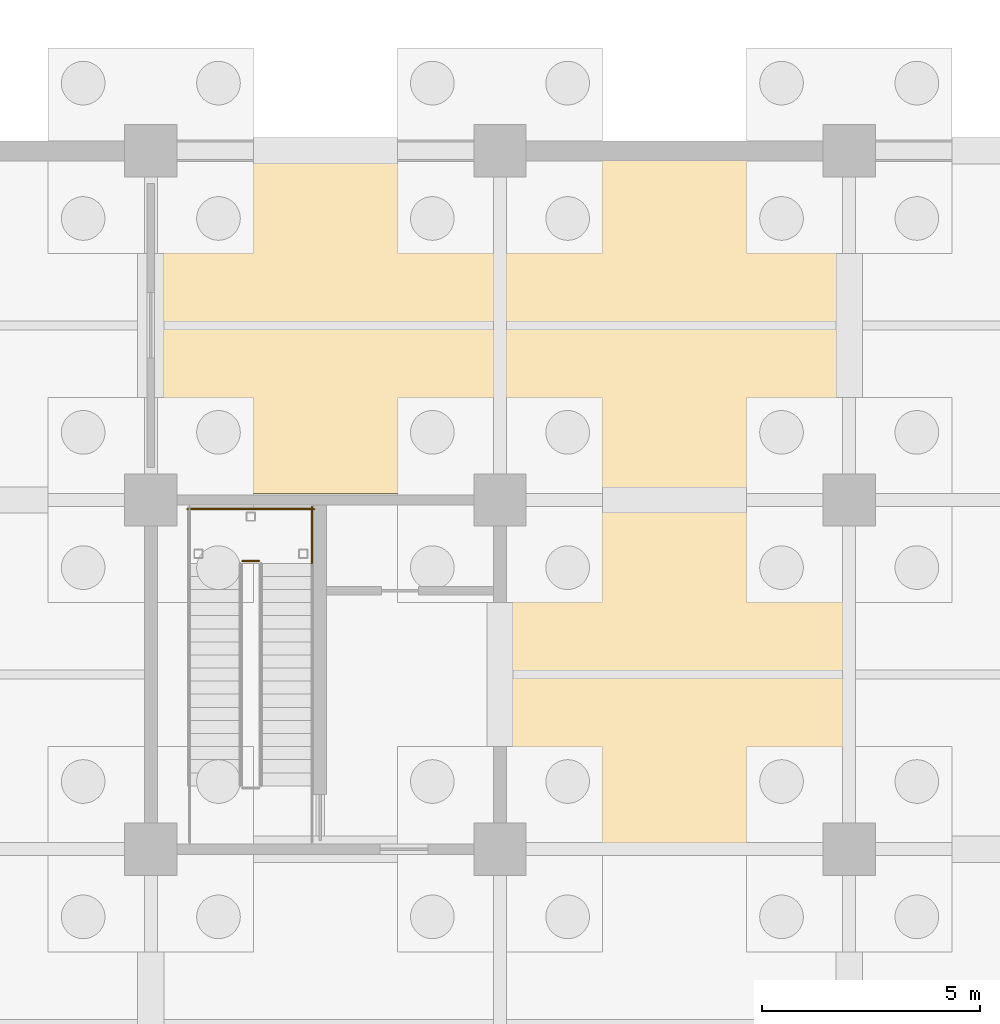
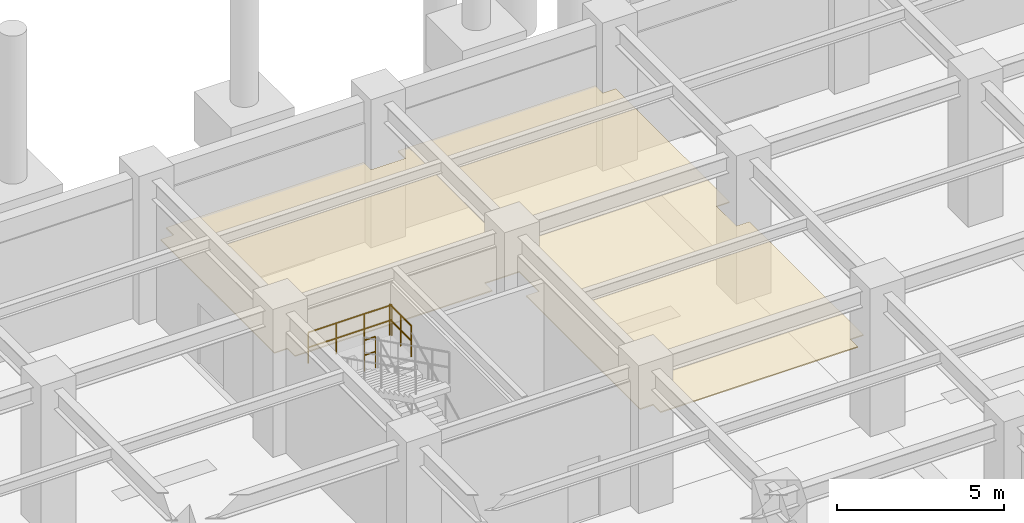
# One storey, part 89 of 97: 3 railings, 1 covering.
"""IFC4 building model written with IfcOpenShell, lengths in metres."""

from ifc_helpers import new_model, si_unit, direction, frame, origin, origin_2d, place, context, subcontext, project, spatial, polyline, circle, outline, extrude, material, layer, layer_set, type_object, element, save


model = new_model("IFC4")

# Units and contexts
model_context = context("Model", 3, precision=1e-05, world=origin(), true_north=direction((0.0, 1.0)))
body_context = subcontext(model_context, "Body", "Model", "MODEL_VIEW")
ifc_project = project(units=[si_unit("LENGTHUNIT", "METRE"), si_unit("AREAUNIT", "SQUARE_METRE"), si_unit("VOLUMEUNIT", "CUBIC_METRE"), si_unit("PLANEANGLEUNIT", "RADIAN"), si_unit("MASSUNIT", "GRAM", prefix="KILO")], contexts=[model_context])

# Site, building, storey
site_placement = place(None, origin())
site = spatial("IfcSite", under=ifc_project, at=site_placement, CompositionType="ELEMENT")
building_placement = place(site_placement, origin())
building = spatial("IfcBuilding", under=site, at=building_placement, Name="Haebicheon Civic Stadium", CompositionType="ELEMENT")
storey_placement = place(building_placement, frame((0.0, 0.0, -5.39990234375)))
storey = spatial("IfcBuildingStorey", under=building, at=storey_placement, Name="B1", CompositionType="ELEMENT", Elevation=-5.39990234375)

# Covering
ifc_material_1 = material(Name="Perforated mineral-fibre acoustic board", Category="gypsum")
ifc_layer = layer(ifc_material_1, 0.0400390625, Name="Perforated mineral-fibre acoustic board")
ifc_layer_set = layer_set([ifc_layer], Name="Perforated mineral-fibre acoustic board")
covering_type = type_object("IfcCoveringType", Name="COV-CLG-AC", PredefinedType="CEILING", material=ifc_layer_set)
covering_placement = place(storey_placement, frame((0.0, 0.0, 2.809814453125)))
element("IfcCovering", 1, at=covering_placement, inside=storey, type_object=covering_type, material=ifc_layer_set, Name="B1 Central Catering Production Kitchen acoustic ceiling", PredefinedType="CEILING", context=body_context, shape_type="SweptSolid", body=[
    extrude(outline(polyline([(120.594970703125, 16.14501953125), (120.594970703125, 16.594970703125), (120.14501953125, 16.594970703125), (120.14501953125, 23.405029296875), (120.594970703125, 23.405029296875), (120.594970703125, 24.594970703125), (119.405029296875, 24.594970703125), (119.405029296875, 24.14501953125), (112.594970703125, 24.14501953125), (112.594970703125, 24.594970703125), (112.14501953125, 24.594970703125), (112.14501953125, 31.405029296875), (112.594970703125, 31.405029296875), (112.594970703125, 31.85498046875), (119.405029296875, 31.85498046875), (119.405029296875, 31.405029296875), (120.594970703125, 31.405029296875), (120.594970703125, 31.85498046875), (127.405029296875, 31.85498046875), (127.405029296875, 31.405029296875), (127.85498046875, 31.405029296875), (127.85498046875, 24.594970703125), (127.405029296875, 24.594970703125), (127.405029296875, 23.405029296875), (127.85498046875, 23.405029296875), (127.85498046875, 16.594970703125), (127.405029296875, 16.594970703125), (127.405029296875, 16.14501953125), (120.594970703125, 16.14501953125)])), origin(), (0.0, 0.0, 1.0), 0.0400390625),
])

# Railings
ifc_material_2 = material(Name="Galvanised painted steel SM355", Category="steel")
railing_type = type_object("IfcRailingType", Name="RL-GRD-1150", PredefinedType="GUARDRAIL", material=ifc_material_2)
railing_1_placement = place(storey_placement, frame((114.47998046875, 22.60009765625, 2.699951171875)))
element("IfcRailing", 2, at=railing_1_placement, inside=storey, type_object=railing_type, material=ifc_material_2, Name="B1 ST-07 stair guard 2", PredefinedType="GUARDRAIL", context=body_context, shape_type="SweptSolid", body=[
    extrude(circle(Radius=0.02392578125, at=origin_2d()), frame((0.0, 0.0, 1.1259765625), z_axis=(-1.0, 0.0, 0.0), x_axis=(0.0, -1.0, 0.0)), (0.0, 0.0, 1.0), 0.3798828125),
    extrude(circle(Radius=0.02392578125, at=origin_2d()), frame((0.0, 0.0, 0.574951171875), z_axis=(-1.0, 0.0, 0.0), x_axis=(0.0, -1.0, 0.0)), (0.0, 0.0, 1.0), 0.3798828125),
    extrude(circle(Radius=0.02099609375, at=origin_2d()), origin(), (0.0, 0.0, 1.0), 1.101806640625),
    extrude(circle(Radius=0.02099609375, at=origin_2d()), frame((-0.3798828125, 0.0, 0.0)), (0.0, 0.0, 1.0), 1.101806640625),
])
railing_2_placement = place(storey_placement, frame((115.68994140625, 22.550048828125, 2.699951171875)))
element("IfcRailing", 3, at=railing_2_placement, inside=storey, type_object=railing_type, material=ifc_material_2, Name="B1 ST-07 stair guard 3", PredefinedType="GUARDRAIL", context=body_context, shape_type="SweptSolid", body=[
    extrude(circle(Radius=0.02392578125, at=origin_2d()), frame((0.0, 0.0, 1.1259765625), z_axis=(0.0, 1.0, 0.0), x_axis=(-1.0, 0.0, 0.0)), (0.0, 0.0, 1.0), 1.2900390625),
    extrude(circle(Radius=0.02392578125, at=origin_2d()), frame((0.0, 0.0, 0.574951171875), z_axis=(0.0, 1.0, 0.0), x_axis=(-1.0, 0.0, 0.0)), (0.0, 0.0, 1.0), 1.2900390625),
    extrude(circle(Radius=0.02099609375, at=origin_2d()), origin(), (0.0, 0.0, 1.0), 1.101806640625),
    extrude(circle(Radius=0.02099609375, at=origin_2d()), frame((0.0, 0.64501953125, 0.0)), (0.0, 0.0, 1.0), 1.101806640625),
    extrude(circle(Radius=0.02099609375, at=origin_2d()), frame((0.0, 1.2900390625, 0.0)), (0.0, 0.0, 1.0), 1.101806640625),
])
railing_3_placement = place(storey_placement, frame((115.739990234375, 23.7900390625, 2.699951171875)))
element("IfcRailing", 4, at=railing_3_placement, inside=storey, type_object=railing_type, material=ifc_material_2, Name="B1 ST-07 stair guard 5", PredefinedType="GUARDRAIL", context=body_context, shape_type="SweptSolid", body=[
    extrude(circle(Radius=0.02392578125, at=origin_2d()), frame((0.0, 0.0, 1.1259765625), z_axis=(-1.0, 0.0, 0.0), x_axis=(0.0, -1.0, 0.0)), (0.0, 0.0, 1.0), 2.89990234375),
    extrude(circle(Radius=0.02392578125, at=origin_2d()), frame((0.0, 0.0, 0.574951171875), z_axis=(-1.0, 0.0, 0.0), x_axis=(0.0, -1.0, 0.0)), (0.0, 0.0, 1.0), 2.89990234375),
    extrude(circle(Radius=0.02099609375, at=origin_2d()), origin(), (0.0, 0.0, 1.0), 1.101806640625),
    extrude(circle(Radius=0.02099609375, at=origin_2d()), frame((-0.966552734375, 0.0, 0.0)), (0.0, 0.0, 1.0), 1.101806640625),
    extrude(circle(Radius=0.02099609375, at=origin_2d()), frame((-1.933349609375, 0.0, 0.0)), (0.0, 0.0, 1.0), 1.101806640625),
    extrude(circle(Radius=0.02099609375, at=origin_2d()), frame((-2.89990234375, 0.0, 0.0)), (0.0, 0.0, 1.0), 1.101806640625),
])

save(model, "model.ifc")
